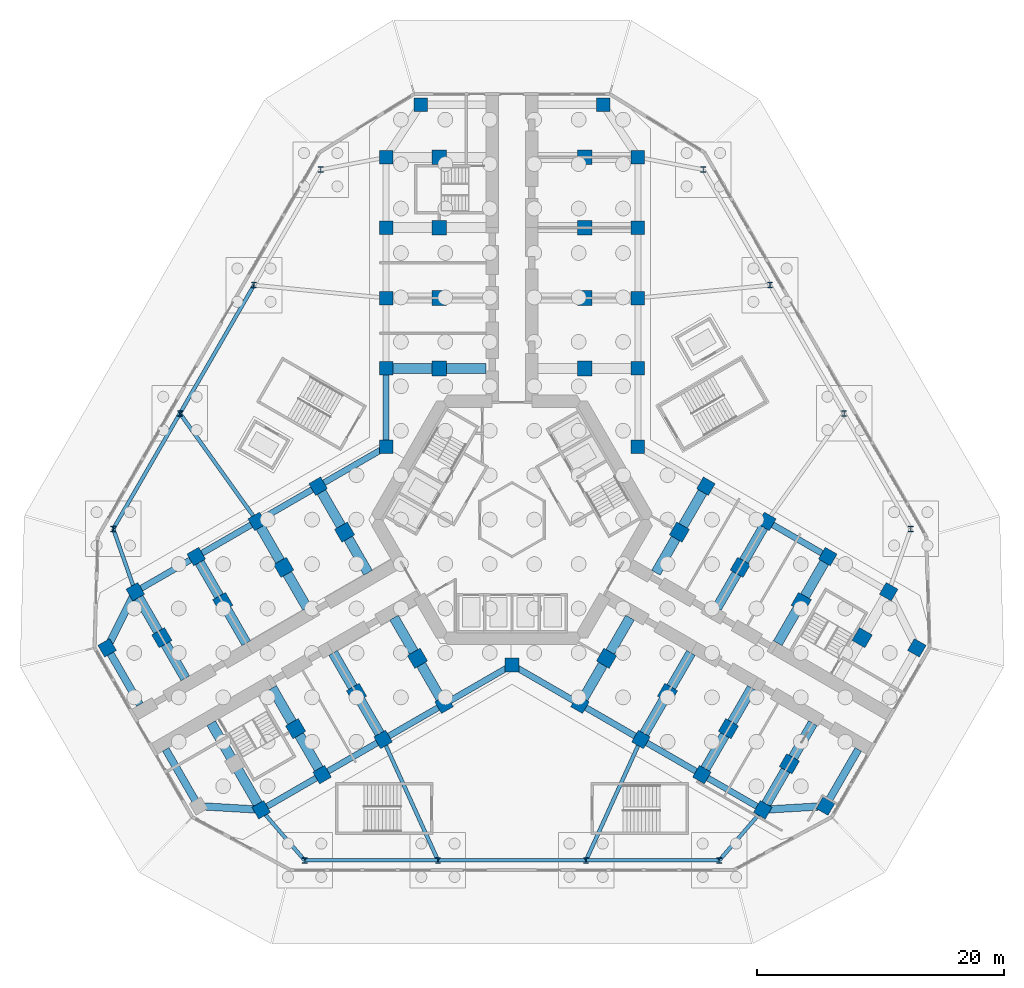
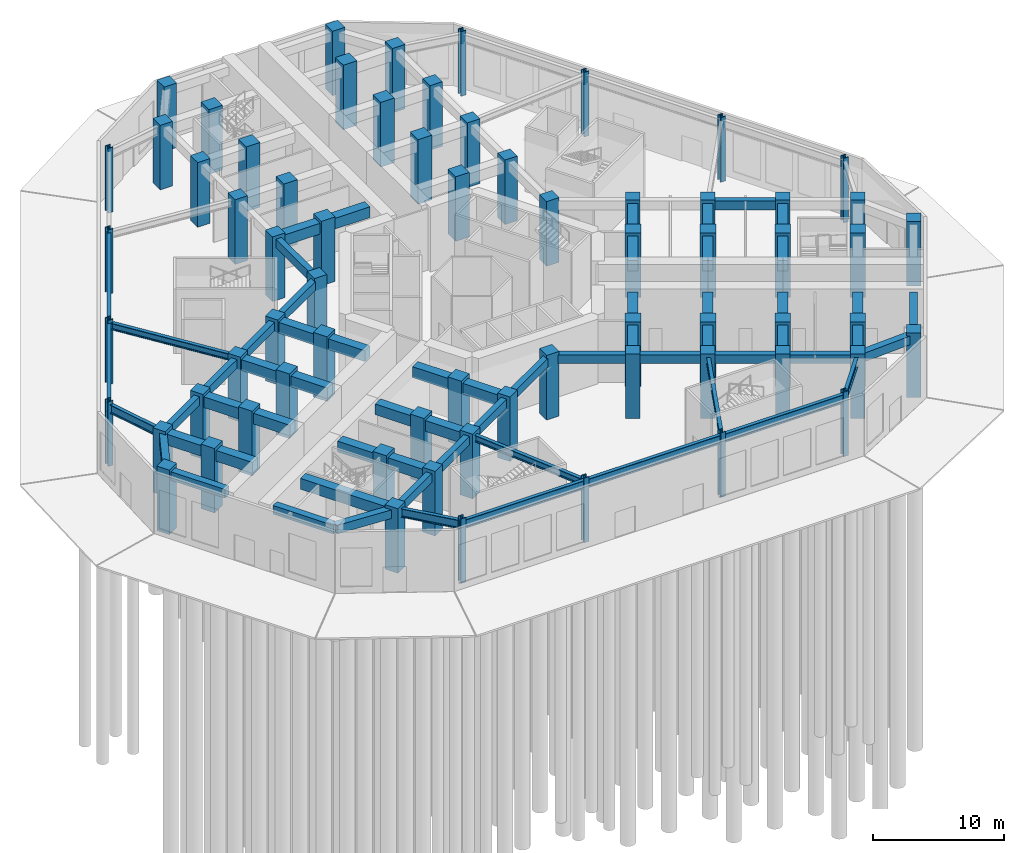
# One storey, part 2 of 16: 67 columns, 47 beams.
"""IFC4 building model written with IfcOpenShell, lengths in metres."""

from ifc_helpers import new_model, si_unit, direction, frame, origin, origin_2d, place, context, subcontext, project, spatial, rectangle, i_section, extrude, material, material_profile, profile_set, type_object, element, save


model = new_model("IFC4")

# Units and contexts
model_context = context("Model", 3, precision=1e-05, world=origin(), true_north=direction((0.0, 1.0)))
body_context = subcontext(model_context, "Body", "Model", "MODEL_VIEW")
ifc_project = project(units=[si_unit("LENGTHUNIT", "METRE"), si_unit("AREAUNIT", "SQUARE_METRE"), si_unit("VOLUMEUNIT", "CUBIC_METRE"), si_unit("PLANEANGLEUNIT", "RADIAN"), si_unit("MASSUNIT", "GRAM", prefix="KILO")], contexts=[model_context])

# Site, building, storey
site_placement = place(None, origin())
site = spatial("IfcSite", under=ifc_project, at=site_placement, CompositionType="ELEMENT")
building_placement = place(site_placement, origin())
building = spatial("IfcBuilding", under=site, at=building_placement, Name="Kosmar Iwan School Tower", CompositionType="ELEMENT")
storey_placement = place(building_placement, origin())
storey = spatial("IfcBuildingStorey", under=building, at=storey_placement, Name="L00", CompositionType="ELEMENT", Elevation=0.0)

# Columns
ifc_material_1 = material(Name="Concrete C50/60", Category="concrete")
ifc_material_profile_1 = material_profile(ifc_material_1, rectangle(XDim=1.10009765625, YDim=1.10009765625, at=origin_2d()), Name="RC 1100x1100 + HD 400x744")
ifc_profile_set_1 = profile_set([ifc_material_profile_1], Name="Concrete C50/60")
column_type_1 = type_object("IfcColumnType", Name="Composite column 1100x1100 HD 400x744", PredefinedType="COLUMN", material=ifc_profile_set_1)
for number, where, z_axis, x_axis, name in (
    (1, (-10.199951171875, 12.25, 0.0), (0.0, 0.0, 1.0), (0.0, 1.0, 0.0), "Column AL1 L00"),
    (2, (-10.199951171875, 17.949951171875, 0.0), (0.0, 0.0, 1.0), (0.0, 1.0, 0.0), "Column AL2 L00"),
    (3, (-10.199951171875, 23.64990234375, 0.0), (0.0, 0.0, 1.0), (0.0, 1.0, 0.0), "Column AL3 L00"),
    (4, (-10.199951171875, 29.35009765625, 0.0), (0.0, 0.0, 1.0), (0.0, 1.0, 0.0), "Column AL4 L00"),
    (5, (-7.39990234375, 33.60009765625, 0.0), (0.0, 0.0, 1.0), (0.0, 1.0, 0.0), "Column ALTIP L00"),
    (6, (10.199951171875, 12.25, 0.0), (0.0, 0.0, 1.0), (0.0, 1.0, 0.0), "Column AR1 L00"),
    (7, (10.199951171875, 17.949951171875, 0.0), (0.0, 0.0, 1.0), (0.0, 1.0, 0.0), "Column AR2 L00"),
    (8, (10.199951171875, 23.64990234375, 0.0), (0.0, 0.0, 1.0), (0.0, 1.0, 0.0), "Column AR3 L00"),
    (9, (10.199951171875, 29.35009765625, 0.0), (0.0, 0.0, 1.0), (0.0, 1.0, 0.0), "Column AR4 L00"),
    (10, (7.39990234375, 33.60009765625, 0.0), (0.0, 0.0, 1.0), (0.0, 1.0, 0.0), "Column ARTIP L00"),
    (11, (-5.5087890625, -14.95849609375, 0.0), (0.0, 0.0, 1.0), (-0.866025403784, -0.5, 0.0), "Column BL1 L00"),
    (12, (-10.445068359375, -17.808349609375, 0.0), (0.0, 0.0, 1.0), (-0.866025403784, -0.5, 0.0), "Column BL2 L00"),
    (13, (-15.381591796875, -20.658447265625, 0.0), (0.0, 0.0, 1.0), (-0.866025403784, -0.5, 0.0), "Column BL3 L00"),
    (14, (-20.31787109375, -23.508544921875, 0.0), (0.0, 0.0, 1.0), (-0.866025403784, -0.5, 0.0), "Column BL4 L00"),
    (15, (-15.708740234375, 2.70849609375, 0.0), (0.0, 0.0, 1.0), (-0.866025403784, -0.5, 0.0), "Column BR1 L00"),
    (16, (-20.645263671875, -0.1416015625, 0.0), (0.0, 0.0, 1.0), (-0.866025403784, -0.5, 0.0), "Column BR2 L00"),
    (17, (-25.58154296875, -2.991455078125, 0.0), (0.0, 0.0, 1.0), (-0.866025403784, -0.5, 0.0), "Column BR3 L00"),
    (18, (-30.517822265625, -5.841552734375, 0.0), (0.0, 0.0, 1.0), (-0.866025403784, -0.5, 0.0), "Column BR4 L00"),
    (19, (-32.79833984375, -10.391357421875, 0.0), (0.0, 0.0, 1.0), (-0.866025403784, -0.5, 0.0), "Column BRTIP L00"),
    (20, (15.708740234375, 2.70849609375, 0.0), (0.0, 0.0, 1.0), (0.866025403784, -0.5, 0.0), "Column CL1 L00"),
    (21, (20.645263671875, -0.1416015625, 0.0), (0.0, 0.0, 1.0), (0.866025403784, -0.5, 0.0), "Column CL2 L00"),
    (22, (25.58154296875, -2.991455078125, 0.0), (0.0, 0.0, 1.0), (0.866025403784, -0.5, 0.0), "Column CL3 L00"),
    (23, (30.517822265625, -5.841552734375, 0.0), (0.0, 0.0, 1.0), (0.866025403784, -0.5, 0.0), "Column CL4 L00"),
    (24, (32.79833984375, -10.391357421875, 0.0), (0.0, 0.0, 1.0), (0.866025403784, -0.5, 0.0), "Column CLTIP L00"),
    (25, (5.5087890625, -14.95849609375, 0.0), (0.0, 0.0, 1.0), (0.866025403784, -0.5, 0.0), "Column CR1 L00"),
    (26, (10.445068359375, -17.808349609375, 0.0), (0.0, 0.0, 1.0), (0.866025403784, -0.5, 0.0), "Column CR2 L00"),
    (27, (15.381591796875, -20.658447265625, 0.0), (0.0, 0.0, 1.0), (0.866025403784, -0.5, 0.0), "Column CR3 L00"),
    (28, (20.31787109375, -23.508544921875, 0.0), (0.0, 0.0, 1.0), (0.866025403784, -0.5, 0.0), "Column CR4 L00"),
    (29, (25.3984375, -23.20849609375, 0.0), (0.0, 0.0, 1.0), (0.866025403784, -0.5, 0.0), "Column CRTIP L00"),
    (30, (-10.199951171875, 5.888916015625, 0.0), (0.0, 0.0, 1.0), (1.0, 0.0, 0.0), "Column RAB L00"),
    (31, (10.199951171875, 5.888916015625, 0.0), (0.0, 0.0, 1.0), (1.0, 0.0, 0.0), "Column RAC L00"),
    (32, (0.0, -11.77783203125, 0.0), (0.0, 0.0, 1.0), (1.0, 0.0, 0.0), "Column RBC L00"),
):
    element("IfcColumn", number, at=place(storey_placement, frame(where, z_axis=z_axis, x_axis=x_axis)), inside=storey, type_object=column_type_1, Name=name, PredefinedType="COLUMN", context=body_context, shape_type="SweptSolid", body=[
        extrude(rectangle(XDim=1.10009765625, YDim=1.10009765625, at=origin_2d()), origin(), (0.0, 0.0, 1.0), 6.0),
    ])
ifc_material_2 = material(Name="Concrete C50/60", Category="concrete")
ifc_material_profile_2 = material_profile(ifc_material_2, rectangle(XDim=1.199951171875, YDim=1.199951171875, at=origin_2d()), Name="RC 1200x1200")
ifc_profile_set_2 = profile_set([ifc_material_profile_2], Name="Concrete C50/60")
column_type_2 = type_object("IfcColumnType", Name="RC interior column 1200x1200", PredefinedType="COLUMN", material=ifc_profile_set_2)
for number, where, z_axis, x_axis, name in (
    (33, (-5.89990234375, 12.25, 0.0), (0.0, 0.0, 1.0), (0.0, 1.0, 0.0), "Interior column ALI1 L00"),
    (34, (-5.89990234375, 17.949951171875, 0.0), (0.0, 0.0, 1.0), (0.0, 1.0, 0.0), "Interior column ALI2 L00"),
    (35, (-5.89990234375, 23.64990234375, 0.0), (0.0, 0.0, 1.0), (0.0, 1.0, 0.0), "Interior column ALI3 L00"),
    (36, (-5.89990234375, 29.35009765625, 0.0), (0.0, 0.0, 1.0), (0.0, 1.0, 0.0), "Interior column ALI4 L00"),
    (37, (5.89990234375, 12.25, 0.0), (0.0, 0.0, 1.0), (0.0, 1.0, 0.0), "Interior column ARI1 L00"),
    (38, (5.89990234375, 17.949951171875, 0.0), (0.0, 0.0, 1.0), (0.0, 1.0, 0.0), "Interior column ARI2 L00"),
    (39, (5.89990234375, 23.64990234375, 0.0), (0.0, 0.0, 1.0), (0.0, 1.0, 0.0), "Interior column ARI3 L00"),
    (40, (5.89990234375, 29.35009765625, 0.0), (0.0, 0.0, 1.0), (0.0, 1.0, 0.0), "Interior column ARI4 L00"),
    (41, (-7.65869140625, -11.234619140625, 0.0), (0.0, 0.0, 1.0), (-0.866025403784, -0.5, 0.0), "Interior column BLI1 L00"),
    (42, (-12.59521484375, -14.08447265625, 0.0), (0.0, 0.0, 1.0), (-0.866025403784, -0.5, 0.0), "Interior column BLI2 L00"),
    (43, (-17.531494140625, -16.9345703125, 0.0), (0.0, 0.0, 1.0), (-0.866025403784, -0.5, 0.0), "Interior column BLI3 L00"),
    (44, (-13.558837890625, -1.015380859375, 0.0), (0.0, 0.0, 1.0), (-0.866025403784, -0.5, 0.0), "Interior column BRI1 L00"),
    (45, (-18.4951171875, -3.865478515625, 0.0), (0.0, 0.0, 1.0), (-0.866025403784, -0.5, 0.0), "Interior column BRI2 L00"),
    (46, (-23.431396484375, -6.71533203125, 0.0), (0.0, 0.0, 1.0), (-0.866025403784, -0.5, 0.0), "Interior column BRI3 L00"),
    (47, (-28.367919921875, -9.5654296875, 0.0), (0.0, 0.0, 1.0), (-0.866025403784, -0.5, 0.0), "Interior column BRI4 L00"),
    (48, (13.558837890625, -1.015380859375, 0.0), (0.0, 0.0, 1.0), (0.866025403784, -0.5, 0.0), "Interior column CLI1 L00"),
    (49, (18.4951171875, -3.865478515625, 0.0), (0.0, 0.0, 1.0), (0.866025403784, -0.5, 0.0), "Interior column CLI2 L00"),
    (50, (23.431396484375, -6.71533203125, 0.0), (0.0, 0.0, 1.0), (0.866025403784, -0.5, 0.0), "Interior column CLI3 L00"),
    (51, (28.367919921875, -9.5654296875, 0.0), (0.0, 0.0, 1.0), (0.866025403784, -0.5, 0.0), "Interior column CLI4 L00"),
    (52, (7.65869140625, -11.234619140625, 0.0), (0.0, 0.0, 1.0), (0.866025403784, -0.5, 0.0), "Interior column CRI1 L00"),
    (53, (12.59521484375, -14.08447265625, 0.0), (0.0, 0.0, 1.0), (0.866025403784, -0.5, 0.0), "Interior column CRI2 L00"),
    (54, (17.531494140625, -16.9345703125, 0.0), (0.0, 0.0, 1.0), (0.866025403784, -0.5, 0.0), "Interior column CRI3 L00"),
    (55, (22.4677734375, -19.78466796875, 0.0), (0.0, 0.0, 1.0), (0.866025403784, -0.5, 0.0), "Interior column CRI4 L00"),
):
    element("IfcColumn", number, at=place(storey_placement, frame(where, z_axis=z_axis, x_axis=x_axis)), inside=storey, type_object=column_type_2, Name=name, PredefinedType="COLUMN", context=body_context, shape_type="SweptSolid", body=[
        extrude(rectangle(XDim=1.199951171875, YDim=1.199951171875, at=origin_2d()), origin(), (0.0, 0.0, 1.0), 6.0),
    ])
ifc_material_3 = material(Name="Steel S355", Category="steel")
ifc_material_profile_3 = material_profile(ifc_material_3, i_section(OverallWidth=0.427978515625, OverallDepth=0.48291015625, WebThickness=0.05126953125, FlangeThickness=0.08154296875, FilletRadius=0.014892578125, at=origin_2d()), Name="HD 400x677")
ifc_profile_set_3 = profile_set([ifc_material_profile_3], Name="Steel S355")
column_type_3 = type_object("IfcColumnType", Name="Steel column HD 400x677", PredefinedType="COLUMN", material=ifc_profile_set_3)
for number, where, z_axis, x_axis, name in (
    (56, (-32.30224609375, -0.749267578125, 0.0), (0.0, 0.0, 1.0), (1.0, 0.0, 0.0), "Infill column AB1"),
    (57, (-26.90234375, 8.603759765625, 0.0), (0.0, 0.0, 1.0), (1.0, 0.0, 0.0), "Infill column AB2"),
    (58, (-20.90234375, 18.99609375, 0.0), (0.0, 0.0, 1.0), (1.0, 0.0, 0.0), "Infill column AB3"),
    (59, (-15.502197265625, 28.34912109375, 0.0), (0.0, 0.0, 1.0), (1.0, 0.0, 0.0), "Infill column AB4"),
    (60, (15.502197265625, 28.34912109375, 0.0), (0.0, 0.0, 1.0), (1.0, 0.0, 0.0), "Infill column AC1"),
    (61, (20.90234375, 18.99609375, 0.0), (0.0, 0.0, 1.0), (1.0, 0.0, 0.0), "Infill column AC2"),
    (62, (26.90234375, 8.603759765625, 0.0), (0.0, 0.0, 1.0), (1.0, 0.0, 0.0), "Infill column AC3"),
    (63, (32.30224609375, -0.749267578125, 0.0), (0.0, 0.0, 1.0), (1.0, 0.0, 0.0), "Infill column AC4"),
    (64, (16.800048828125, -27.60009765625, 0.0), (0.0, 0.0, 1.0), (1.0, 0.0, 0.0), "Infill column BC1"),
    (65, (6.0, -27.60009765625, 0.0), (0.0, 0.0, 1.0), (1.0, 0.0, 0.0), "Infill column BC2"),
    (66, (-6.0, -27.60009765625, 0.0), (0.0, 0.0, 1.0), (1.0, 0.0, 0.0), "Infill column BC3"),
    (67, (-16.800048828125, -27.60009765625, 0.0), (0.0, 0.0, 1.0), (1.0, 0.0, 0.0), "Infill column BC4"),
):
    element("IfcColumn", number, at=place(storey_placement, frame(where, z_axis=z_axis, x_axis=x_axis)), inside=storey, type_object=column_type_3, Name=name, PredefinedType="COLUMN", context=body_context, shape_type="SweptSolid", body=[
        extrude(i_section(OverallWidth=0.427978515625, OverallDepth=0.48291015625, WebThickness=0.05126953125, FlangeThickness=0.08154296875, FilletRadius=0.014892578125, at=origin_2d()), origin(), (0.0, 0.0, 1.0), 6.0),
    ])

# Beams
ifc_material_4 = material(Name="Steel S355", Category="steel")
ifc_material_profile_4 = material_profile(ifc_material_4, i_section(OverallWidth=0.300048828125, OverallDepth=0.800048828125, WebThickness=0.017578125, FlangeThickness=0.032958984375, FilletRadius=0.030029296875, at=origin_2d()), Name="HE 800 B")
ifc_profile_set_4 = profile_set([ifc_material_profile_4], Name="Steel S355")
beam_type_1 = type_object("IfcBeamType", Name="Infill edge beam HE 800 B", PredefinedType="BEAM", material=ifc_profile_set_4)
beam_1_placement = place(storey_placement, frame((-30.517822265625, -5.841552734375, 5.300048828125), z_axis=(-0.330701081571, 0.943735553345, 0.0), x_axis=(-0.943735553345, -0.330701081571, 0.0)))
element("IfcBeam", 68, at=beam_1_placement, inside=storey, type_object=beam_type_1, Name="Infill edge beam AB1", PredefinedType="BEAM", context=body_context, shape_type="SweptSolid", body=[
    extrude(i_section(OverallWidth=0.300048828125, OverallDepth=0.800048828125, WebThickness=0.017578125, FlangeThickness=0.032958984375, FilletRadius=0.030029296875, at=origin_2d()), origin(), (0.0, 0.0, 1.0), 5.39599609375),
])
beam_2_placement = place(storey_placement, frame((-32.30224609375, -0.749267578125, 5.300048828125), z_axis=(0.499995103361, 0.866028230842, 0.0), x_axis=(-0.866028230842, 0.499995103361, 0.0)))
element("IfcBeam", 69, at=beam_2_placement, inside=storey, type_object=beam_type_1, Name="Infill edge beam AB2", PredefinedType="BEAM", context=body_context, shape_type="SweptSolid", body=[
    extrude(i_section(OverallWidth=0.300048828125, OverallDepth=0.800048828125, WebThickness=0.017578125, FlangeThickness=0.032958984375, FilletRadius=0.030029296875, at=origin_2d()), origin(), (0.0, 0.0, 1.0), 10.7998046875),
])
beam_3_placement = place(storey_placement, frame((-26.90234375, 8.603759765625, 5.300048828125), z_axis=(0.49999894854, 0.866026010844, 0.0), x_axis=(-0.866026010844, 0.49999894854, 0.0)))
element("IfcBeam", 70, at=beam_3_placement, inside=storey, type_object=beam_type_1, Name="Infill edge beam AB3", PredefinedType="BEAM", context=body_context, shape_type="SweptSolid", body=[
    extrude(i_section(OverallWidth=0.300048828125, OverallDepth=0.800048828125, WebThickness=0.017578125, FlangeThickness=0.032958984375, FilletRadius=0.030029296875, at=origin_2d()), origin(), (0.0, 0.0, 1.0), 12.0),
])
beam_4_placement = place(storey_placement, frame((20.31787109375, -23.508544921875, 5.300048828125), z_axis=(-0.651941989341, -0.758268845816, 0.0), x_axis=(0.758268845816, -0.651941989341, 0.0)))
element("IfcBeam", 71, at=beam_4_placement, inside=storey, type_object=beam_type_1, Name="Infill edge beam BC1", PredefinedType="BEAM", context=body_context, shape_type="SweptSolid", body=[
    extrude(i_section(OverallWidth=0.300048828125, OverallDepth=0.800048828125, WebThickness=0.017578125, FlangeThickness=0.032958984375, FilletRadius=0.030029296875, at=origin_2d()), origin(), (0.0, 0.0, 1.0), 5.39599609375),
])
beam_5_placement = place(storey_placement, frame((16.800048828125, -27.60009765625, 5.300048828125), z_axis=(-1.0, 0.0, 0.0), x_axis=(0.0, -1.0, 0.0)))
element("IfcBeam", 72, at=beam_5_placement, inside=storey, type_object=beam_type_1, Name="Infill edge beam BC2", PredefinedType="BEAM", context=body_context, shape_type="SweptSolid", body=[
    extrude(i_section(OverallWidth=0.300048828125, OverallDepth=0.800048828125, WebThickness=0.017578125, FlangeThickness=0.032958984375, FilletRadius=0.030029296875, at=origin_2d()), origin(), (0.0, 0.0, 1.0), 10.800048828125),
])
beam_6_placement = place(storey_placement, frame((6.0, -27.60009765625, 5.300048828125), z_axis=(-1.0, 0.0, 0.0), x_axis=(0.0, -1.0, 0.0)))
element("IfcBeam", 73, at=beam_6_placement, inside=storey, type_object=beam_type_1, Name="Infill edge beam BC3", PredefinedType="BEAM", context=body_context, shape_type="SweptSolid", body=[
    extrude(i_section(OverallWidth=0.300048828125, OverallDepth=0.800048828125, WebThickness=0.017578125, FlangeThickness=0.032958984375, FilletRadius=0.030029296875, at=origin_2d()), origin(), (0.0, 0.0, 1.0), 12.0),
])
beam_7_placement = place(storey_placement, frame((-6.0, -27.60009765625, 5.300048828125), z_axis=(-1.0, 0.0, 0.0), x_axis=(0.0, -1.0, 0.0)))
element("IfcBeam", 74, at=beam_7_placement, inside=storey, type_object=beam_type_1, Name="Infill edge beam BC4", PredefinedType="BEAM", context=body_context, shape_type="SweptSolid", body=[
    extrude(i_section(OverallWidth=0.300048828125, OverallDepth=0.800048828125, WebThickness=0.017578125, FlangeThickness=0.032958984375, FilletRadius=0.030029296875, at=origin_2d()), origin(), (0.0, 0.0, 1.0), 10.800048828125),
])
beam_8_placement = place(storey_placement, frame((-16.800048828125, -27.60009765625, 5.300048828125), z_axis=(-0.651941989341, 0.758268845816, 0.0), x_axis=(-0.758268845816, -0.651941989341, 0.0)))
element("IfcBeam", 75, at=beam_8_placement, inside=storey, type_object=beam_type_1, Name="Infill edge beam BC5", PredefinedType="BEAM", context=body_context, shape_type="SweptSolid", body=[
    extrude(i_section(OverallWidth=0.300048828125, OverallDepth=0.800048828125, WebThickness=0.017578125, FlangeThickness=0.032958984375, FilletRadius=0.030029296875, at=origin_2d()), origin(), (0.0, 0.0, 1.0), 5.39599609375),
])
ifc_material_5 = material(Name="Steel S355", Category="steel")
ifc_material_profile_5 = material_profile(ifc_material_5, i_section(OverallWidth=0.304931640625, OverallDepth=0.6201171875, WebThickness=0.02099609375, FlangeThickness=0.0400390625, FilletRadius=0.027099609375, at=origin_2d()), Name="HE 600 M")
ifc_profile_set_5 = profile_set([ifc_material_profile_5], Name="Steel S355")
beam_type_2 = type_object("IfcBeamType", Name="Infill girder HE 600 M", PredefinedType="BEAM", material=ifc_profile_set_5)
beam_9_placement = place(storey_placement, frame((-26.90234375, 8.603759765625, 5.389892578125), z_axis=(0.58187801822, -0.813276073614, 0.0), x_axis=(0.813276073614, 0.58187801822, 0.0)))
element("IfcBeam", 76, at=beam_9_placement, inside=storey, type_object=beam_type_2, Name="Infill girder AB2", PredefinedType="BEAM", context=body_context, shape_type="SweptSolid", body=[
    extrude(i_section(OverallWidth=0.304931640625, OverallDepth=0.6201171875, WebThickness=0.02099609375, FlangeThickness=0.0400390625, FilletRadius=0.027099609375, at=origin_2d()), origin(), (0.0, 0.0, 1.0), 10.753173828125),
])
for number, where, z_axis, x_axis, name in (
    (77, (6.0, -27.60009765625, 5.389892578125), (0.413361578077, 0.910566969404, 0.0), (-0.910566969404, 0.413361578077, 0.0), "Infill girder BC2"),
    (78, (-6.0, -27.60009765625, 5.389892578125), (-0.413361578077, 0.910566969404, 0.0), (-0.910566969404, -0.413361578077, 0.0), "Infill girder BC3"),
):
    element("IfcBeam", number, at=place(storey_placement, frame(where, z_axis=z_axis, x_axis=x_axis)), inside=storey, type_object=beam_type_2, Name=name, PredefinedType="BEAM", context=body_context, shape_type="SweptSolid", body=[
        extrude(i_section(OverallWidth=0.304931640625, OverallDepth=0.6201171875, WebThickness=0.02099609375, FlangeThickness=0.0400390625, FilletRadius=0.027099609375, at=origin_2d()), origin(), (0.0, 0.0, 1.0), 10.75341796875),
    ])
ifc_material_6 = material(Name="Concrete C50/60", Category="concrete")
ifc_material_profile_6 = material_profile(ifc_material_6, rectangle(XDim=0.5, YDim=0.800048828125, at=origin_2d()), Name="RC 500x800")
ifc_profile_set_6 = profile_set([ifc_material_profile_6], Name="Concrete C50/60")
beam_type_3 = type_object("IfcBeamType", Name="RC edge beam 500x800", PredefinedType="BEAM", material=ifc_profile_set_6)
for number, where, z_axis, x_axis, name in (
    (79, (-10.199951171875, 5.888916015625, 5.300048828125), (0.0, 1.0, 0.0), (-1.0, 0.0, 0.0), "Edge beam AL1"),
    (80, (0.0, -11.77783203125, 5.300048828125), (-0.866014293216, -0.500019243575, 0.0), (0.500019243575, -0.866014293216, 0.0), "Edge beam BL1"),
):
    element("IfcBeam", number, at=place(storey_placement, frame(where, z_axis=z_axis, x_axis=x_axis)), inside=storey, type_object=beam_type_3, Name=name, PredefinedType="BEAM", context=body_context, shape_type="SweptSolid", body=[
        extrude(rectangle(XDim=0.5, YDim=0.800048828125, at=origin_2d()), origin(), (0.0, 0.0, 1.0), 6.361083984375),
    ])
beam_10_placement = place(storey_placement, frame((-5.5087890625, -14.95849609375, 5.300048828125), z_axis=(-0.866033658841, -0.49998570155, 0.0), x_axis=(0.49998570155, -0.866033658841, 0.0)))
element("IfcBeam", 81, at=beam_10_placement, inside=storey, type_object=beam_type_3, Name="Edge beam BL2", PredefinedType="BEAM", context=body_context, shape_type="SweptSolid", body=[
    extrude(rectangle(XDim=0.5, YDim=0.800048828125, at=origin_2d()), origin(), (0.0, 0.0, 1.0), 5.699951171875),
])
beam_11_placement = place(storey_placement, frame((-10.445068359375, -17.808349609375, 5.300048828125), z_axis=(-0.866025820012, -0.499999279071, 0.0), x_axis=(0.499999279071, -0.866025820012, 0.0)))
element("IfcBeam", 82, at=beam_11_placement, inside=storey, type_object=beam_type_3, Name="Edge beam BL3", PredefinedType="BEAM", context=body_context, shape_type="SweptSolid", body=[
    extrude(rectangle(XDim=0.5, YDim=0.800048828125, at=origin_2d()), origin(), (0.0, 0.0, 1.0), 5.7001953125),
])
beam_12_placement = place(storey_placement, frame((-15.381591796875, -20.658447265625, 5.300048828125), z_axis=(-0.866015111908, -0.50001782563, 0.0), x_axis=(0.50001782563, -0.866015111908, 0.0)))
element("IfcBeam", 83, at=beam_12_placement, inside=storey, type_object=beam_type_3, Name="Edge beam BL4", PredefinedType="BEAM", context=body_context, shape_type="SweptSolid", body=[
    extrude(rectangle(XDim=0.5, YDim=0.800048828125, at=origin_2d()), origin(), (0.0, 0.0, 1.0), 5.699951171875),
])
beam_13_placement = place(storey_placement, frame((-10.199951171875, 5.888916015625, 5.300048828125), z_axis=(-0.866030912664, -0.49999045822, 0.0), x_axis=(0.49999045822, -0.866030912664, 0.0)))
element("IfcBeam", 84, at=beam_13_placement, inside=storey, type_object=beam_type_3, Name="Edge beam BR1", PredefinedType="BEAM", context=body_context, shape_type="SweptSolid", body=[
    extrude(rectangle(XDim=0.5, YDim=0.800048828125, at=origin_2d()), origin(), (0.0, 0.0, 1.0), 6.36083984375),
])
beam_14_placement = place(storey_placement, frame((-15.708740234375, 2.70849609375, 5.300048828125), z_axis=(-0.866025820012, -0.499999279071, 0.0), x_axis=(0.499999279071, -0.866025820012, 0.0)))
element("IfcBeam", 85, at=beam_14_placement, inside=storey, type_object=beam_type_3, Name="Edge beam BR2", PredefinedType="BEAM", context=body_context, shape_type="SweptSolid", body=[
    extrude(rectangle(XDim=0.5, YDim=0.800048828125, at=origin_2d()), origin(), (0.0, 0.0, 1.0), 5.7001953125),
])
for number, where, z_axis, x_axis, name in (
    (86, (-20.645263671875, -0.1416015625, 5.300048828125), (-0.866033658841, -0.49998570155, 0.0), (0.49998570155, -0.866033658841, 0.0), "Edge beam BR3"),
    (87, (-25.58154296875, -2.991455078125, 5.300048828125), (-0.866015111908, -0.50001782563, 0.0), (0.50001782563, -0.866015111908, 0.0), "Edge beam BR4"),
    (88, (20.645263671875, -0.1416015625, 5.300048828125), (0.866033658841, -0.49998570155, 0.0), (0.49998570155, 0.866033658841, 0.0), "Edge beam CL3"),
):
    element("IfcBeam", number, at=place(storey_placement, frame(where, z_axis=z_axis, x_axis=x_axis)), inside=storey, type_object=beam_type_3, Name=name, PredefinedType="BEAM", context=body_context, shape_type="SweptSolid", body=[
        extrude(rectangle(XDim=0.5, YDim=0.800048828125, at=origin_2d()), origin(), (0.0, 0.0, 1.0), 5.699951171875),
    ])
beam_15_placement = place(storey_placement, frame((0.0, -11.77783203125, 5.300048828125), z_axis=(0.866014293216, -0.500019243575, 0.0), x_axis=(0.500019243575, 0.866014293216, 0.0)))
element("IfcBeam", 89, at=beam_15_placement, inside=storey, type_object=beam_type_3, Name="Edge beam CR1", PredefinedType="BEAM", context=body_context, shape_type="SweptSolid", body=[
    extrude(rectangle(XDim=0.5, YDim=0.800048828125, at=origin_2d()), origin(), (0.0, 0.0, 1.0), 6.361083984375),
])
beam_16_placement = place(storey_placement, frame((5.5087890625, -14.95849609375, 5.300048828125), z_axis=(0.866033658841, -0.49998570155, 0.0), x_axis=(0.49998570155, 0.866033658841, 0.0)))
element("IfcBeam", 90, at=beam_16_placement, inside=storey, type_object=beam_type_3, Name="Edge beam CR2", PredefinedType="BEAM", context=body_context, shape_type="SweptSolid", body=[
    extrude(rectangle(XDim=0.5, YDim=0.800048828125, at=origin_2d()), origin(), (0.0, 0.0, 1.0), 5.699951171875),
])
beam_17_placement = place(storey_placement, frame((10.445068359375, -17.808349609375, 5.300048828125), z_axis=(0.866025820012, -0.499999279071, 0.0), x_axis=(0.499999279071, 0.866025820012, 0.0)))
element("IfcBeam", 91, at=beam_17_placement, inside=storey, type_object=beam_type_3, Name="Edge beam CR3", PredefinedType="BEAM", context=body_context, shape_type="SweptSolid", body=[
    extrude(rectangle(XDim=0.5, YDim=0.800048828125, at=origin_2d()), origin(), (0.0, 0.0, 1.0), 5.7001953125),
])
beam_18_placement = place(storey_placement, frame((15.381591796875, -20.658447265625, 5.300048828125), z_axis=(0.866015111908, -0.50001782563, 0.0), x_axis=(0.50001782563, 0.866015111908, 0.0)))
element("IfcBeam", 92, at=beam_18_placement, inside=storey, type_object=beam_type_3, Name="Edge beam CR4", PredefinedType="BEAM", context=body_context, shape_type="SweptSolid", body=[
    extrude(rectangle(XDim=0.5, YDim=0.800048828125, at=origin_2d()), origin(), (0.0, 0.0, 1.0), 5.699951171875),
])
ifc_material_7 = material(Name="Concrete C50/60", Category="concrete")
ifc_material_profile_7 = material_profile(ifc_material_7, rectangle(XDim=0.60009765625, YDim=0.800048828125, at=origin_2d()), Name="RC 600x800")
ifc_profile_set_7 = profile_set([ifc_material_profile_7], Name="Concrete C50/60")
beam_type_4 = type_object("IfcBeamType", Name="RC tip beam 600x800", PredefinedType="BEAM", material=ifc_profile_set_7)
beam_19_placement = place(storey_placement, frame((-20.31787109375, -23.508544921875, 5.300048828125), z_axis=(-0.998260616478, 0.058955420358, 0.0), x_axis=(-0.058955420358, -0.998260616478, 0.0)))
element("IfcBeam", 93, at=beam_19_placement, inside=storey, type_object=beam_type_4, Name="Tip beam BL", PredefinedType="BEAM", context=body_context, shape_type="SweptSolid", body=[
    extrude(rectangle(XDim=0.60009765625, YDim=0.800048828125, at=origin_2d()), origin(), (0.0, 0.0, 1.0), 5.08935546875),
])
beam_20_placement = place(storey_placement, frame((-25.3984375, -23.20849609375, 5.300048828125), z_axis=(-0.499993606316, 0.866029095148, 0.0), x_axis=(-0.866029095148, -0.499993606316, 0.0)))
element("IfcBeam", 94, at=beam_20_placement, inside=storey, type_object=beam_type_4, Name="Tip beam BL to corridor wall", PredefinedType="BEAM", context=body_context, shape_type="SweptSolid", body=[
    extrude(rectangle(XDim=0.60009765625, YDim=0.800048828125, at=origin_2d()), origin(), (0.0, 0.0, 1.0), 5.2998046875),
])
beam_21_placement = place(storey_placement, frame((-30.517822265625, -5.841552734375, 5.300048828125), z_axis=(-0.44809604203, -0.893985423325, 0.0), x_axis=(0.893985423325, -0.44809604203, 0.0)))
element("IfcBeam", 95, at=beam_21_placement, inside=storey, type_object=beam_type_4, Name="Tip beam BR", PredefinedType="BEAM", context=body_context, shape_type="SweptSolid", body=[
    extrude(rectangle(XDim=0.60009765625, YDim=0.800048828125, at=origin_2d()), origin(), (0.0, 0.0, 1.0), 5.08935546875),
])
beam_22_placement = place(storey_placement, frame((-32.79833984375, -10.391357421875, 5.300048828125), z_axis=(0.499973660256, -0.866040610509, 0.0), x_axis=(0.866040610509, 0.499973660256, 0.0)))
element("IfcBeam", 96, at=beam_22_placement, inside=storey, type_object=beam_type_4, Name="Tip beam BR to corridor wall", PredefinedType="BEAM", context=body_context, shape_type="SweptSolid", body=[
    extrude(rectangle(XDim=0.60009765625, YDim=0.800048828125, at=origin_2d()), origin(), (0.0, 0.0, 1.0), 5.300048828125),
])
beam_23_placement = place(storey_placement, frame((20.31787109375, -23.508544921875, 5.300048828125), z_axis=(0.998260616478, 0.058955420358, 0.0), x_axis=(-0.058955420358, 0.998260616478, 0.0)))
element("IfcBeam", 97, at=beam_23_placement, inside=storey, type_object=beam_type_4, Name="Tip beam CR", PredefinedType="BEAM", context=body_context, shape_type="SweptSolid", body=[
    extrude(rectangle(XDim=0.60009765625, YDim=0.800048828125, at=origin_2d()), origin(), (0.0, 0.0, 1.0), 5.08935546875),
])
beam_24_placement = place(storey_placement, frame((25.3984375, -23.20849609375, 5.300048828125), z_axis=(0.499993606316, 0.866029095148, 0.0), x_axis=(-0.866029095148, 0.499993606316, 0.0)))
element("IfcBeam", 98, at=beam_24_placement, inside=storey, type_object=beam_type_4, Name="Tip beam CR to corridor wall", PredefinedType="BEAM", context=body_context, shape_type="SweptSolid", body=[
    extrude(rectangle(XDim=0.60009765625, YDim=0.800048828125, at=origin_2d()), origin(), (0.0, 0.0, 1.0), 5.2998046875),
])
ifc_material_8 = material(Name="Concrete C50/60", Category="concrete")
ifc_material_profile_8 = material_profile(ifc_material_8, rectangle(XDim=0.800048828125, YDim=1.0, at=origin_2d()), Name="RC 800x1000")
ifc_profile_set_8 = profile_set([ifc_material_profile_8], Name="Concrete C50/60")
beam_type_5 = type_object("IfcBeamType", Name="RC transverse beam 800x1000", PredefinedType="BEAM", material=ifc_profile_set_8)
beam_25_placement = place(storey_placement, frame((-10.199951171875, 12.25, 5.199951171875), z_axis=(1.0, 0.0, 0.0), x_axis=(0.0, 1.0, 0.0)))
element("IfcBeam", 99, at=beam_25_placement, inside=storey, type_object=beam_type_5, Name="Transverse beam AL1", PredefinedType="BEAM", context=body_context, shape_type="SweptSolid", body=[
    extrude(rectangle(XDim=0.800048828125, YDim=1.0, at=origin_2d()), origin(), (0.0, 0.0, 1.0), 8.099853515625),
])
beam_26_placement = place(storey_placement, frame((-5.5087890625, -14.95849609375, 5.199951171875), z_axis=(-0.499999880539, 0.866025472755, 0.0), x_axis=(-0.866025472755, -0.499999880539, 0.0)))
element("IfcBeam", 100, at=beam_26_placement, inside=storey, type_object=beam_type_5, Name="Transverse beam BL1", PredefinedType="BEAM", context=body_context, shape_type="SweptSolid", body=[
    extrude(rectangle(XDim=0.800048828125, YDim=1.0, at=origin_2d()), origin(), (0.0, 0.0, 1.0), 8.10009765625),
])
beam_27_placement = place(storey_placement, frame((-10.445068359375, -17.808349609375, 5.199951171875), z_axis=(-0.500012932018, 0.866017937352, 0.0), x_axis=(-0.866017937352, -0.500012932018, 0.0)))
element("IfcBeam", 101, at=beam_27_placement, inside=storey, type_object=beam_type_5, Name="Transverse beam BL2", PredefinedType="BEAM", context=body_context, shape_type="SweptSolid", body=[
    extrude(rectangle(XDim=0.800048828125, YDim=1.0, at=origin_2d()), origin(), (0.0, 0.0, 1.0), 8.099853515625),
])
for number, where, z_axis, x_axis, name in (
    (102, (-15.381591796875, -20.658447265625, 5.199951171875), (-0.499977274689, 0.866038523851, 0.0), (-0.866038523851, -0.499977274689, 0.0), "Transverse beam BL3"),
    (103, (-20.31787109375, -23.508544921875, 5.199951171875), (-0.499999880539, 0.866025472755, 0.0), (-0.866025472755, -0.499999880539, 0.0), "Transverse beam BL4"),
    (104, (-15.708740234375, 2.70849609375, 5.199951171875), (0.499999880539, -0.866025472755, 0.0), (0.866025472755, 0.499999880539, 0.0), "Transverse beam BR1"),
):
    element("IfcBeam", number, at=place(storey_placement, frame(where, z_axis=z_axis, x_axis=x_axis)), inside=storey, type_object=beam_type_5, Name=name, PredefinedType="BEAM", context=body_context, shape_type="SweptSolid", body=[
        extrude(rectangle(XDim=0.800048828125, YDim=1.0, at=origin_2d()), origin(), (0.0, 0.0, 1.0), 8.10009765625),
    ])
beam_28_placement = place(storey_placement, frame((-20.645263671875, -0.1416015625, 5.199951171875), z_axis=(0.500012932018, -0.866017937352, 0.0), x_axis=(0.866017937352, 0.500012932018, 0.0)))
element("IfcBeam", 105, at=beam_28_placement, inside=storey, type_object=beam_type_5, Name="Transverse beam BR2", PredefinedType="BEAM", context=body_context, shape_type="SweptSolid", body=[
    extrude(rectangle(XDim=0.800048828125, YDim=1.0, at=origin_2d()), origin(), (0.0, 0.0, 1.0), 8.099853515625),
])
for number, where, z_axis, x_axis, name in (
    (106, (-25.58154296875, -2.991455078125, 5.199951171875), (0.499999880539, -0.866025472755, 0.0), (0.866025472755, 0.499999880539, 0.0), "Transverse beam BR3"),
    (107, (-30.517822265625, -5.841552734375, 5.199951171875), (0.499999880539, -0.866025472755, 0.0), (0.866025472755, 0.499999880539, 0.0), "Transverse beam BR4"),
    (108, (15.708740234375, 2.70849609375, 5.199951171875), (-0.499999880539, -0.866025472755, 0.0), (0.866025472755, -0.499999880539, 0.0), "Transverse beam CL1"),
):
    element("IfcBeam", number, at=place(storey_placement, frame(where, z_axis=z_axis, x_axis=x_axis)), inside=storey, type_object=beam_type_5, Name=name, PredefinedType="BEAM", context=body_context, shape_type="SweptSolid", body=[
        extrude(rectangle(XDim=0.800048828125, YDim=1.0, at=origin_2d()), origin(), (0.0, 0.0, 1.0), 8.10009765625),
    ])
beam_29_placement = place(storey_placement, frame((20.645263671875, -0.1416015625, 5.199951171875), z_axis=(-0.500012932018, -0.866017937352, 0.0), x_axis=(0.866017937352, -0.500012932018, 0.0)))
element("IfcBeam", 109, at=beam_29_placement, inside=storey, type_object=beam_type_5, Name="Transverse beam CL2", PredefinedType="BEAM", context=body_context, shape_type="SweptSolid", body=[
    extrude(rectangle(XDim=0.800048828125, YDim=1.0, at=origin_2d()), origin(), (0.0, 0.0, 1.0), 8.099853515625),
])
for number, where, z_axis, x_axis, name in (
    (110, (25.58154296875, -2.991455078125, 5.199951171875), (-0.499999880539, -0.866025472755, 0.0), (0.866025472755, -0.499999880539, 0.0), "Transverse beam CL3"),
    (111, (5.5087890625, -14.95849609375, 5.199951171875), (0.499999880539, 0.866025472755, 0.0), (-0.866025472755, 0.499999880539, 0.0), "Transverse beam CR1"),
):
    element("IfcBeam", number, at=place(storey_placement, frame(where, z_axis=z_axis, x_axis=x_axis)), inside=storey, type_object=beam_type_5, Name=name, PredefinedType="BEAM", context=body_context, shape_type="SweptSolid", body=[
        extrude(rectangle(XDim=0.800048828125, YDim=1.0, at=origin_2d()), origin(), (0.0, 0.0, 1.0), 8.10009765625),
    ])
beam_30_placement = place(storey_placement, frame((10.445068359375, -17.808349609375, 5.199951171875), z_axis=(0.500012932018, 0.866017937352, 0.0), x_axis=(-0.866017937352, 0.500012932018, 0.0)))
element("IfcBeam", 112, at=beam_30_placement, inside=storey, type_object=beam_type_5, Name="Transverse beam CR2", PredefinedType="BEAM", context=body_context, shape_type="SweptSolid", body=[
    extrude(rectangle(XDim=0.800048828125, YDim=1.0, at=origin_2d()), origin(), (0.0, 0.0, 1.0), 8.099853515625),
])
for number, where, z_axis, x_axis, name in (
    (113, (15.381591796875, -20.658447265625, 5.199951171875), (0.499977274689, 0.866038523851, 0.0), (-0.866038523851, 0.499977274689, 0.0), "Transverse beam CR3"),
    (114, (20.31787109375, -23.508544921875, 5.199951171875), (0.499999880539, 0.866025472755, 0.0), (-0.866025472755, 0.499999880539, 0.0), "Transverse beam CR4"),
):
    element("IfcBeam", number, at=place(storey_placement, frame(where, z_axis=z_axis, x_axis=x_axis)), inside=storey, type_object=beam_type_5, Name=name, PredefinedType="BEAM", context=body_context, shape_type="SweptSolid", body=[
        extrude(rectangle(XDim=0.800048828125, YDim=1.0, at=origin_2d()), origin(), (0.0, 0.0, 1.0), 8.10009765625),
    ])

save(model, "model.ifc")
